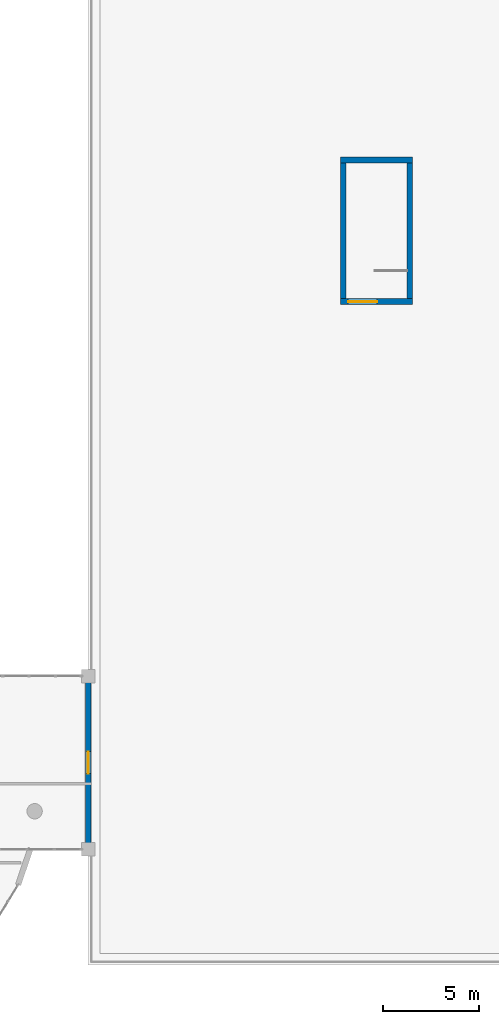
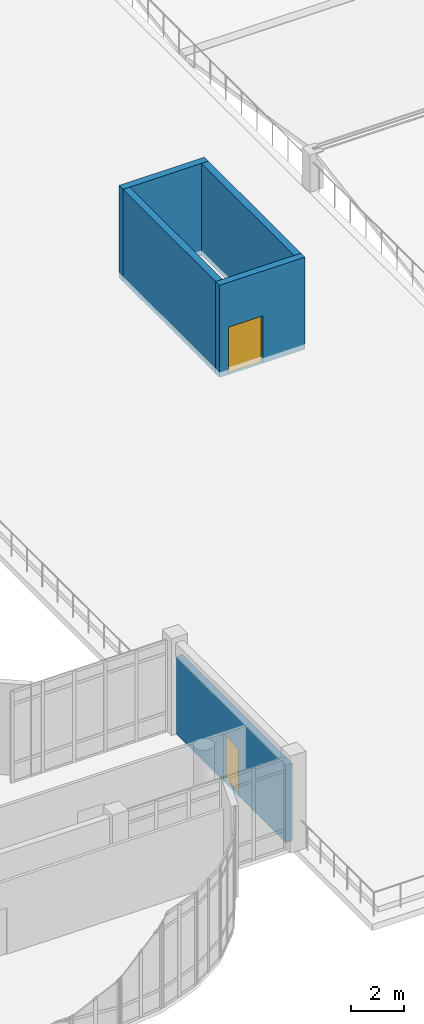
# One storey, part 46 of 54: 5 walls, 2 doors, 2 openings.
"""IFC4 building model written with IfcOpenShell, lengths in metres."""

import ifcopenshell
import ifcopenshell.guid

model = None  # the IFC model being written
_history = None  # IfcOwnerHistory: only IFC2X3 demands one
_inside = {}  # id of a spatial element -> (the spatial element, [elements in it])
_under = {}  # id of a project, library or spatial element -> (it, [spatial elements below it])
_declared = {}  # id of a project -> (the project, [libraries it declares])
_typed = {}  # id of a type object -> (the type object, [elements of that type])
_made_of = {}  # id of a material, layer set ... -> (it, [elements and type objects made of it])


def new_model(schema):
    """Start an empty IFC model of exactly this schema.

    Asked for "IFC4X3", IfcOpenShell would pick the latest addendum, in which some entities
    have other attributes; the version numbers below select the first issue.
    IFC2X3 requires an IfcOwnerHistory on every rooted entity: one is made here for all.
    """
    global model, _history
    if schema == "IFC4X3":
        model = ifcopenshell.file(schema_version=(4, 3, 0, 0))
    else:
        model = ifcopenshell.file(schema=schema)
    _inside.clear()
    _under.clear()
    _declared.clear()
    _typed.clear()
    _made_of.clear()
    _history = None
    if model.schema == "IFC2X3":
        org = make("IfcOrganization", Name="unknown")
        user = make(
            "IfcPersonAndOrganization",
            ThePerson=make("IfcPerson", FamilyName="unknown"),
            TheOrganization=org,
        )
        app = make(
            "IfcApplication",
            ApplicationDeveloper=org,
            Version="unknown",
            ApplicationFullName="unknown",
            ApplicationIdentifier="unknown",
        )
        _history = make(
            "IfcOwnerHistory",
            OwningUser=user,
            OwningApplication=app,
            ChangeAction="ADDED",
            CreationDate=0,
        )
    return model


def make(cls, **values):
    """One entity of the class cls with the attributes given. An attribute that is None is left unset."""
    return model.create_entity(
        cls, **{name: value for name, value in values.items() if value is not None}
    )


def rooted(cls, **values):
    """An entity with a GlobalId (a new one), such as an element, a storey or a relation."""
    return make(cls, GlobalId=ifcopenshell.guid.new(), OwnerHistory=_history, **values)


def si_unit(unit_type, name, prefix=None):
    """IfcSIUnit, for example si_unit("LENGTHUNIT", "METRE", prefix="MILLI")."""
    return make("IfcSIUnit", UnitType=unit_type, Prefix=prefix, Name=name)


def assignment(units):
    """IfcUnitAssignment: the units of a project."""
    return None if units is None else make("IfcUnitAssignment", Units=units)


def point(xyz):
    """IfcCartesianPoint."""
    return None if xyz is None else make("IfcCartesianPoint", Coordinates=xyz)


def direction(xyz):
    """IfcDirection."""
    return None if xyz is None else make("IfcDirection", DirectionRatios=xyz)


def frame(location, z_axis=None, x_axis=None):
    """IfcAxis2Placement3D, a coordinate frame: its origin and axes. An axis left out is left unset."""
    return make(
        "IfcAxis2Placement3D",
        Location=point(location),
        Axis=direction(z_axis),
        RefDirection=direction(x_axis),
    )


def frame_2d(location, x_axis=None):
    """IfcAxis2Placement2D, a coordinate frame in the plane: its origin and x axis."""
    return make(
        "IfcAxis2Placement2D", Location=point(location), RefDirection=direction(x_axis)
    )


def origin():
    """The frame at (0, 0, 0) with its axes left unset."""
    return frame((0.0, 0.0, 0.0))


def place(relative_to, where):
    """IfcLocalPlacement: puts the frame where relative to a parent placement (None: the world)."""
    return make(
        "IfcLocalPlacement", PlacementRelTo=relative_to, RelativePlacement=where
    )


def context(
    kind, dimensions, precision=None, world=None, true_north=None, identifier=None
):
    """IfcGeometricRepresentationContext, for example the 3D "Model" context."""
    return make(
        "IfcGeometricRepresentationContext",
        ContextIdentifier=identifier,
        ContextType=kind,
        CoordinateSpaceDimension=dimensions,
        Precision=precision,
        WorldCoordinateSystem=world,
        TrueNorth=true_north,
    )


def subcontext(parent, identifier, kind, view, scale=None):
    """IfcGeometricRepresentationSubContext, for example "Body" below "Model"."""
    return make(
        "IfcGeometricRepresentationSubContext",
        ContextIdentifier=identifier,
        ContextType=kind,
        ParentContext=parent,
        TargetScale=scale,
        TargetView=view,
    )


def project(units=None, contexts=None):
    """IfcProject with its units and contexts."""
    return rooted(
        "IfcProject",
        Name="project",
        RepresentationContexts=contexts,
        UnitsInContext=assignment(units),
    )


def spatial(cls, under=None, at=None, **own):
    """A site, building, storey or space (cls), placed at a placement, below another one or the project."""
    s = rooted(cls, ObjectPlacement=at, **own)
    if under is not None:
        _under.setdefault(under.id(), (under, []))[1].append(s)
    return s


def profile(cls, at=None, kind="AREA", **sizes):
    """A parametric profile (cls). Its sizes go by their IFC names, for example OverallWidth=200.0."""
    return make(cls, ProfileType=kind, Position=at, **sizes)


def rectangle(**sizes):
    """IfcRectangleProfileDef."""
    return profile("IfcRectangleProfileDef", **sizes)


def extrude(swept, where, along, depth):
    """IfcExtrudedAreaSolid: the profile swept, set in the frame where, extruded along a direction by depth."""
    return make(
        "IfcExtrudedAreaSolid",
        SweptArea=swept,
        Position=where,
        ExtrudedDirection=direction(along),
        Depth=depth,
    )


def shape(context_of_items, identifier, shape_type, items):
    """IfcShapeRepresentation: the items that make up one representation, for example the "Body"."""
    return make(
        "IfcShapeRepresentation",
        ContextOfItems=context_of_items,
        RepresentationIdentifier=identifier,
        RepresentationType=shape_type,
        Items=items,
    )


def material(Name=None, Category=None):
    """IfcMaterial."""
    return make("IfcMaterial", Name=Name, Category=Category)


def layer(
    of_material, thickness, ventilated=None, Name=None, Category=None, Priority=None
):
    """IfcMaterialLayer: one layer of a wall or slab, of a material (None: an air gap)."""
    return make(
        "IfcMaterialLayer",
        Material=of_material,
        LayerThickness=thickness,
        IsVentilated=ventilated,
        Name=Name,
        Category=Category,
        Priority=Priority,
    )


def layer_set(layers, Name=None):
    """IfcMaterialLayerSet."""
    return make("IfcMaterialLayerSet", MaterialLayers=layers, LayerSetName=Name)


def made_of(thing, what):
    """Note that an element or type object is made of a material, layer set ...; save() writes the relation."""
    if what is not None:
        _made_of.setdefault(what.id(), (what, []))[1].append(thing)
    return thing


def type_object(cls, material=None, **own):
    """A type object (cls), such as IfcWallType, which elements share."""
    return made_of(rooted(cls, **own), material)


def element(
    cls,
    number,
    at=None,
    inside=None,
    cuts=None,
    type_object=None,
    material=None,
    context=None,
    identifier="Body",
    shape_type=None,
    held_by="IfcProductDefinitionShape",
    body=None,
    shapes=None,
    **own,
):
    """One element of the class cls, such as IfcWall. Its Tag is "e" and its number.

    at: its placement. inside: the storey or other place that contains it. cuts: it is an
    opening in that element (IfcRelVoidsElement). A single representation is given by context,
    identifier, shape_type and body (its items); several are given by shapes. held_by: the class
    of the entity that holds the representations. save() writes the other relations.
    """
    e = rooted(cls, Tag="e%d" % number, ObjectPlacement=at, **own)
    if body is not None:
        shapes = [shape(context, identifier, shape_type, body)]
    if shapes is not None:
        e.Representation = make(held_by, Representations=shapes)
    if inside is not None:
        _inside.setdefault(inside.id(), (inside, []))[1].append(e)
    if cuts is not None:
        rooted(
            "IfcRelVoidsElement", RelatingBuildingElement=cuts, RelatedOpeningElement=e
        )
    if type_object is not None:
        _typed.setdefault(type_object.id(), (type_object, []))[1].append(e)
    return made_of(e, material)


def fill(opening, filler):
    """IfcRelFillsElement: the door or window that sits in an opening."""
    return rooted(
        "IfcRelFillsElement",
        RelatingOpeningElement=opening,
        RelatedBuildingElement=filler,
    )


def aggregate(whole, parts):
    """IfcRelAggregates: a whole, such as a stair, and the parts it consists of."""
    return rooted("IfcRelAggregates", RelatingObject=whole, RelatedObjects=parts)


def save(model, path):
    """Write the relations noted so far, then the file.

    IfcRelAggregates (storeys below a building ...), IfcRelContainedInSpatialStructure (elements
    in a storey), IfcRelDefinesByType, IfcRelAssociatesMaterial and IfcRelDeclares: one each for
    every whole, place, type object, material and project.
    """
    for whole, parts in _under.values():
        aggregate(whole, parts)
    for where, things in _inside.values():
        rooted(
            "IfcRelContainedInSpatialStructure",
            RelatedElements=things,
            RelatingStructure=where,
        )
    for kind, things in _typed.values():
        rooted("IfcRelDefinesByType", RelatedObjects=things, RelatingType=kind)
    for what, things in _made_of.values():
        rooted("IfcRelAssociatesMaterial", RelatedObjects=things, RelatingMaterial=what)
    for by, libraries in _declared.values():
        rooted("IfcRelDeclares", RelatingContext=by, RelatedDefinitions=libraries)
    model.write(path)


model = new_model("IFC4")

# Units and contexts
model_context = context("Model", 3, precision=1e-05, world=origin(), true_north=direction((0.0, 1.0)))
body_context = subcontext(model_context, "Body", "Model", "MODEL_VIEW")
ifc_project = project(units=[si_unit("LENGTHUNIT", "METRE"), si_unit("AREAUNIT", "SQUARE_METRE"), si_unit("VOLUMEUNIT", "CUBIC_METRE"), si_unit("PLANEANGLEUNIT", "RADIAN"), si_unit("MASSUNIT", "GRAM", prefix="KILO")], contexts=[model_context])

# Site, building, storey
site_placement = place(None, origin())
site = spatial("IfcSite", under=ifc_project, at=site_placement, CompositionType="ELEMENT")
building_placement = place(site_placement, origin())
building = spatial("IfcBuilding", under=site, at=building_placement, Name="Miralva Faculty of Natural Sciences", CompositionType="ELEMENT")
storey_placement = place(building_placement, frame((0.0, 0.0, 19.5)))
storey = spatial("IfcBuildingStorey", under=building, at=storey_placement, Name="L04", CompositionType="ELEMENT", Elevation=19.5)

# Wall, opening, door
ifc_material_1 = material(Name="Concrete C40/50", Category="concrete")
ifc_layer_1 = layer(ifc_material_1, 0.300048828125, Name="WL-CW03")
ifc_layer_set_1 = layer_set([ifc_layer_1], Name="Concrete C40/50")
wall_type_1 = type_object("IfcWallType", Name="WL-CW03", PredefinedType="SHEAR", material=ifc_layer_set_1)
wall_1_placement = place(storey_placement, frame((146.89990234375, 46.449951171875, 0.0), z_axis=(0.0, 0.0, 1.0), x_axis=(1.0, 0.0, 0.0)))
wall_1 = element("IfcWall", 1, at=wall_1_placement, inside=storey, type_object=wall_type_1, Name="Core C4 shear wall south L04", PredefinedType="SHEAR", context=body_context, shape_type="SweptSolid", body=[
    extrude(rectangle(XDim=3.75, YDim=0.300048828125, at=frame_2d((1.875, 0.0))), origin(), (0.0, 0.0, 1.0), 4.280029296875),
])
opening_1_placement = place(wall_1_placement, frame((0.39990234375, 0.0, 0.0)))
opening_1 = element("IfcOpeningElement", 2, at=opening_1_placement, cuts=wall_1, Name="Opening D-11", PredefinedType="OPENING", context=body_context, shape_type="SweptSolid", body=[
    extrude(rectangle(XDim=1.5, YDim=2.199951171875, at=frame_2d((0.75, 1.10009765625))), frame((0.0, 0.159912109375, 0.0), z_axis=(0.0, -1.0, 0.0), x_axis=(1.0, 0.0, 0.0)), (0.0, 0.0, 1.0), 0.320068359375),
])
ifc_material_2 = material(Name="Galvanised steel", Category="steel")
door_type_1 = type_object("IfcDoorType", Name="DR-DI11", OperationType="DOUBLE_DOOR_SINGLE_SWING", PredefinedType="DOOR", material=ifc_material_2)
door_1_placement = place(opening_1_placement, frame((1.5, 0.0, 0.0), z_axis=(0.0, 0.0, 1.0), x_axis=(-1.0, 0.0, 0.0)))
door_1 = element("IfcDoor", 3, at=door_1_placement, inside=storey, type_object=door_type_1, Name="Protected exit stair door Core C4 L04", OperationType="DOUBLE_DOOR_SINGLE_SWING", OverallHeight=2.199951171875, OverallWidth=1.5, PredefinedType="DOOR", context=body_context, shape_type="SweptSolid", body=[
    extrude(rectangle(XDim=1.5, YDim=2.199951171875, at=frame_2d((0.75, 1.10009765625))), frame((0.0, 0.02490234375, 0.0), z_axis=(0.0, -1.0, 0.0), x_axis=(1.0, 0.0, 0.0)), (0.0, 0.0, 1.0), 0.050048828125),
])
fill(opening_1, door_1)

# Walls
wall_2_placement = place(storey_placement, frame((146.89990234375, 53.800048828125, 0.0), z_axis=(0.0, 0.0, 1.0), x_axis=(1.0, 0.0, 0.0)))
element("IfcWall", 4, at=wall_2_placement, inside=storey, type_object=wall_type_1, Name="Core C4 shear wall north L04", PredefinedType="SHEAR", context=body_context, shape_type="SweptSolid", body=[
    extrude(rectangle(XDim=3.75, YDim=0.300048828125, at=frame_2d((1.875, 0.0))), origin(), (0.0, 0.0, 1.0), 4.280029296875),
])
for number, where, z_axis, x_axis, name in (
    (5, (147.050048828125, 46.60009765625, 0.0), (0.0, 0.0, 1.0), (0.0, 1.0, 0.0), "Core C4 shear wall west L04"),
    (6, (150.5, 46.60009765625, 0.0), (0.0, 0.0, 1.0), (0.0, 1.0, 0.0), "Core C4 shear wall east L04"),
):
    element("IfcWall", number, at=place(storey_placement, frame(where, z_axis=z_axis, x_axis=x_axis)), inside=storey, type_object=wall_type_1, Name=name, PredefinedType="SHEAR", context=body_context, shape_type="SweptSolid", body=[
        extrude(rectangle(XDim=7.0498046875, YDim=0.300048828125, at=frame_2d((3.52490234375, 0.0))), origin(), (0.0, 0.0, 1.0), 4.280029296875),
    ])

# Wall, opening, door
ifc_material_3 = material(Name="Precast concrete C40/50", Category="concrete")
ifc_layer_2 = layer(ifc_material_3, 0.2900390625, Name="WL-WT03")
ifc_layer_set_2 = layer_set([ifc_layer_2], Name="Precast concrete C40/50")
wall_type_2 = type_object("IfcWallType", Name="WL-WT03", PredefinedType="SOLIDWALL", material=ifc_layer_set_2)
wall_3_placement = place(storey_placement, frame((133.800048828125, 18.3349609375, 0.0), z_axis=(0.0, 0.0, 1.0), x_axis=(0.0, 1.0, 0.0)))
wall_3 = element("IfcWall", 7, at=wall_3_placement, inside=storey, type_object=wall_type_2, Name="Exterior wall L04-371", PredefinedType="SOLIDWALL", context=body_context, shape_type="SweptSolid", body=[
    extrude(rectangle(XDim=8.330078125, YDim=0.2900390625, at=frame_2d((4.1650390625, 0.0))), origin(), (0.0, 0.0, 1.0), 3.594970703125),
])
opening_2_placement = place(wall_3_placement, frame((3.590087890625, 0.0, 0.0)))
opening_2 = element("IfcOpeningElement", 8, at=opening_2_placement, cuts=wall_3, Name="Opening D-05", PredefinedType="OPENING", context=body_context, shape_type="SweptSolid", body=[
    extrude(rectangle(XDim=1.14990234375, YDim=2.199951171875, at=frame_2d((0.574951171875, 1.10009765625))), frame((0.0, 0.155029296875, 0.0), z_axis=(0.0, -1.0, 0.0), x_axis=(1.0, 0.0, 0.0)), (0.0, 0.0, 1.0), 0.31005859375),
])
ifc_material_4 = material(Name="Anodised aluminium", Category="aluminium")
door_type_2 = type_object("IfcDoorType", Name="DR-DE05", OperationType="NOTDEFINED", PredefinedType="DOOR", material=ifc_material_4)
door_2_placement = place(opening_2_placement, frame((1.14990234375, 0.0, 0.0), z_axis=(0.0, 0.0, 1.0), x_axis=(-1.0, 0.0, 0.0)))
door_2 = element("IfcDoor", 9, at=door_2_placement, inside=storey, type_object=door_type_2, Name="Exterior pedestrian exit door D-05 L04-25", OperationType="SINGLE_SWING_LEFT", OverallHeight=2.199951171875, OverallWidth=1.14990234375, PredefinedType="DOOR", context=body_context, shape_type="SweptSolid", body=[
    extrude(rectangle(XDim=1.14990234375, YDim=2.199951171875, at=frame_2d((0.574951171875, 1.10009765625))), frame((0.0, 0.02490234375, 0.0), z_axis=(0.0, -1.0, 0.0), x_axis=(1.0, 0.0, 0.0)), (0.0, 0.0, 1.0), 0.050048828125),
])
fill(opening_2, door_2)

save(model, "model.ifc")
